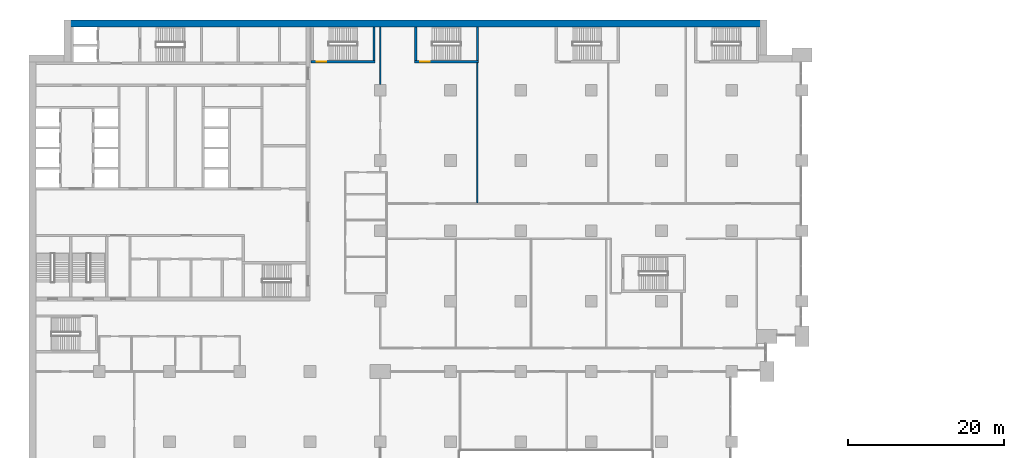
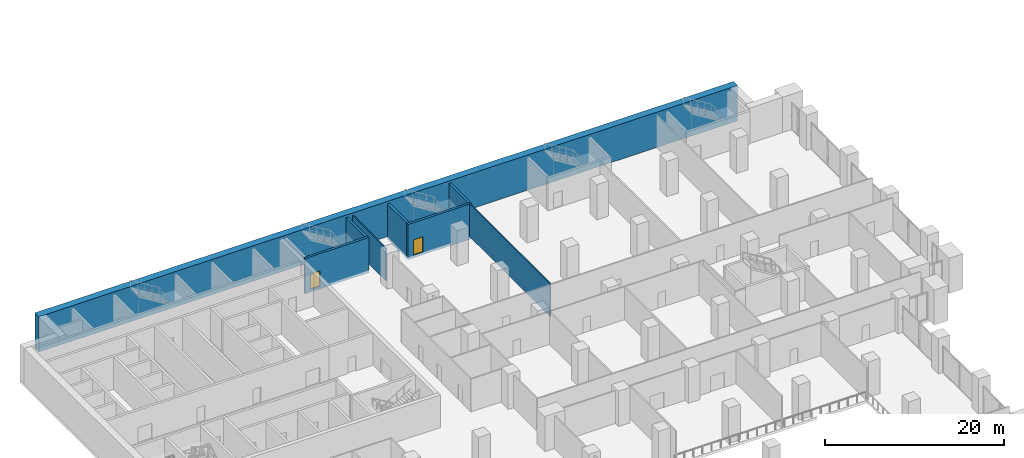
# One storey, part 28 of 49: 8 walls, 2 doors, 2 openings.
"""IFC4 building model written with IfcOpenShell, lengths in metres."""

from ifc_helpers import new_model, si_unit, direction, frame, frame_2d, origin, place, context, subcontext, project, spatial, rectangle, extrude, material, layer, layer_set, type_object, element, fill, save


model = new_model("IFC4")

# Units and contexts
model_context = context("Model", 3, precision=1e-05, world=origin(), true_north=direction((0.0, 1.0)))
body_context = subcontext(model_context, "Body", "Model", "MODEL_VIEW")
ifc_project = project(units=[si_unit("LENGTHUNIT", "METRE"), si_unit("AREAUNIT", "SQUARE_METRE"), si_unit("VOLUMEUNIT", "CUBIC_METRE"), si_unit("PLANEANGLEUNIT", "RADIAN"), si_unit("MASSUNIT", "GRAM", prefix="KILO")], contexts=[model_context])

# Site, building, storey
site_placement = place(None, origin())
site = spatial("IfcSite", under=ifc_project, at=site_placement, CompositionType="ELEMENT")
building_placement = place(site_placement, origin())
building = spatial("IfcBuilding", under=site, at=building_placement, Name="Hunhe Ridgeline Campus", CompositionType="ELEMENT")
storey_placement = place(building_placement, frame((0.0, 0.0, 21.60009765625)))
storey = spatial("IfcBuildingStorey", under=building, at=storey_placement, Name="L04", CompositionType="ELEMENT", Elevation=21.60009765625)

# Walls
ifc_material_1 = material(Name="Plastered blockwork", Category="masonry")
ifc_layer_1 = layer(ifc_material_1, 0.14990234375)
ifc_layer_set_1 = layer_set([ifc_layer_1], Name="Blockwork partition 150")
wall_type_1 = type_object("IfcWallType", Name="Blockwork partition 150", PredefinedType="PARTITIONING", material=ifc_layer_set_1)
wall_1_placement = place(storey_placement, frame((45.0, 90.75, 0.0), z_axis=(0.0, 0.0, 1.0), x_axis=(0.0, 1.0, 0.0)))
element("IfcWall", 1, at=wall_1_placement, inside=storey, type_object=wall_type_1, Name="L04 partition", PredefinedType="PARTITIONING", context=body_context, shape_type="SweptSolid", body=[
    extrude(rectangle(XDim=7.35009765625, YDim=0.14990234375, at=frame_2d((3.675048828125, 0.0))), origin(), (0.0, 0.0, 1.0), 4.449951171875),
])
wall_2_placement = place(storey_placement, frame((57.4140625, 75.574951171875, 0.0), z_axis=(0.0, 0.0, 1.0), x_axis=(0.0, 1.0, 0.0)))
element("IfcWall", 2, at=wall_2_placement, inside=storey, type_object=wall_type_1, Name="L04 partition", PredefinedType="PARTITIONING", context=body_context, shape_type="SweptSolid", body=[
    extrude(rectangle(XDim=17.925048828125, YDim=0.14990234375, at=frame_2d((8.96240234375, 0.0))), origin(), (0.0, 0.0, 1.0), 4.449951171875),
])
ifc_material_2 = material(Name="Concrete C80", Category="concrete")
ifc_layer_2 = layer(ifc_material_2, 0.89990234375)
ifc_layer_set_2 = layer_set([ifc_layer_2], Name="Spine wall 900 Concrete C80")
wall_type_2 = type_object("IfcWallType", Name="Spine wall 900 Concrete C80", PredefinedType="SHEAR", material=ifc_layer_set_2)
wall_3_placement = place(storey_placement, frame((94.5, 98.550048828125, 0.0), z_axis=(0.0, 0.0, 1.0), x_axis=(-1.0, 0.0, 0.0)))
element("IfcWall", 3, at=wall_3_placement, inside=storey, type_object=wall_type_2, Name="Spine wall SW1-4 L04", PredefinedType="SHEAR", context=body_context, shape_type="SweptSolid", body=[
    extrude(rectangle(XDim=90.0, YDim=0.89990234375, at=frame_2d((45.0, 0.0))), origin(), (0.0, 0.0, 1.0), 4.7998046875),
])

# Wall, opening, door
ifc_layer_3 = layer(ifc_material_2, 0.300048828125)
ifc_layer_set_3 = layer_set([ifc_layer_3], Name="Stair wall 300 reinforced concrete C80")
wall_type_3 = type_object("IfcWallType", Name="Stair wall 300 reinforced concrete C80", PredefinedType="SOLIDWALL", material=ifc_layer_set_3)
wall_4_placement = place(storey_placement, frame((36.14990234375, 93.64990234375, -0.35009765625), z_axis=(0.0, 0.0, 1.0), x_axis=(1.0, 0.0, 0.0)))
wall_4 = element("IfcWall", 4, at=wall_4_placement, inside=storey, type_object=wall_type_3, Name="L04 core wall 30", PredefinedType="SOLIDWALL", context=body_context, shape_type="SweptSolid", body=[
    extrude(rectangle(XDim=8.2001953125, YDim=0.300048828125, at=frame_2d((4.10009765625, 0.0))), origin(), (0.0, 0.0, 1.0), 4.800048828125),
])
opening_1_placement = place(wall_4_placement, frame((0.699951171875, 0.0, 0.35009765625)))
opening_1 = element("IfcOpeningElement", 5, at=opening_1_placement, cuts=wall_4, Name="Opening CD17", PredefinedType="OPENING", context=body_context, shape_type="SweptSolid", body=[
    extrude(rectangle(XDim=1.199951171875, YDim=2.10009765625, at=frame_2d((0.60009765625, 1.050048828125))), frame((0.0, 0.14990234375, 0.0), z_axis=(0.0, -1.0, 0.0), x_axis=(1.0, 0.0, 0.0)), (0.0, 0.0, 1.0), 0.300048828125),
])
ifc_material_3 = material(Name="Hollow metal fire door leaf")
door_type = type_object("IfcDoorType", Name="Stair door 1200x2100 FD60", OperationType="SINGLE_SWING_LEFT", PredefinedType="DOOR", material=ifc_material_3)
door_1_placement = place(opening_1_placement, frame((1.199951171875, 0.0, 0.0), z_axis=(0.0, 0.0, 1.0), x_axis=(-1.0, 0.0, 0.0)))
door_1 = element("IfcDoor", 6, at=door_1_placement, inside=storey, type_object=door_type, Name="L04 door E1", OperationType="SINGLE_SWING_RIGHT", OverallHeight=2.10009765625, OverallWidth=1.199951171875, PredefinedType="DOOR", context=body_context, shape_type="SweptSolid", body=[
    extrude(rectangle(XDim=1.199951171875, YDim=2.10009765625, at=frame_2d((0.60009765625, 1.050048828125))), frame((0.0, 0.02490234375, 0.0), z_axis=(0.0, -1.0, 0.0), x_axis=(1.0, 0.0, 0.0)), (0.0, 0.0, 1.0), 0.050048828125),
])
fill(opening_1, door_1)

wall_5_placement = place(storey_placement, frame((49.39990234375, 93.64990234375, -0.35009765625), z_axis=(0.0, 0.0, 1.0), x_axis=(1.0, 0.0, 0.0)))
wall_5 = element("IfcWall", 7, at=wall_5_placement, inside=storey, type_object=wall_type_3, Name="L04 core wall 31", PredefinedType="SOLIDWALL", context=body_context, shape_type="SweptSolid", body=[
    extrude(rectangle(XDim=8.2001953125, YDim=0.300048828125, at=frame_2d((4.10009765625, 0.0))), origin(), (0.0, 0.0, 1.0), 4.800048828125),
])
opening_2_placement = place(wall_5_placement, frame((0.699951171875, 0.0, 0.35009765625)))
opening_2 = element("IfcOpeningElement", 8, at=opening_2_placement, cuts=wall_5, Name="Opening CD18", PredefinedType="OPENING", context=body_context, shape_type="SweptSolid", body=[
    extrude(rectangle(XDim=1.199951171875, YDim=2.10009765625, at=frame_2d((0.60009765625, 1.050048828125))), frame((0.0, 0.14990234375, 0.0), z_axis=(0.0, -1.0, 0.0), x_axis=(1.0, 0.0, 0.0)), (0.0, 0.0, 1.0), 0.300048828125),
])
door_2_placement = place(opening_2_placement, frame((1.199951171875, 0.0, 0.0), z_axis=(0.0, 0.0, 1.0), x_axis=(-1.0, 0.0, 0.0)))
door_2 = element("IfcDoor", 9, at=door_2_placement, inside=storey, type_object=door_type, Name="L04 door E2", OperationType="SINGLE_SWING_LEFT", OverallHeight=2.10009765625, OverallWidth=1.199951171875, PredefinedType="DOOR", context=body_context, shape_type="SweptSolid", body=[
    extrude(rectangle(XDim=1.199951171875, YDim=2.10009765625, at=frame_2d((0.60009765625, 1.050048828125))), frame((0.0, 0.02490234375, 0.0), z_axis=(0.0, -1.0, 0.0), x_axis=(1.0, 0.0, 0.0)), (0.0, 0.0, 1.0), 0.050048828125),
])
fill(opening_2, door_2)

# Walls
for number, where, z_axis, x_axis, name in (
    (10, (44.199951171875, 93.800048828125, -0.35009765625), (0.0, 0.0, 1.0), (0.0, 1.0, 0.0), "L04 core wall 66"),
    (11, (49.550048828125, 93.800048828125, -0.35009765625), (0.0, 0.0, 1.0), (0.0, 1.0, 0.0), "L04 core wall 67"),
    (12, (57.449951171875, 93.800048828125, -0.35009765625), (0.0, 0.0, 1.0), (0.0, 1.0, 0.0), "L04 core wall 68"),
):
    element("IfcWall", number, at=place(storey_placement, frame(where, z_axis=z_axis, x_axis=x_axis)), inside=storey, type_object=wall_type_3, Name=name, PredefinedType="SOLIDWALL", context=body_context, shape_type="SweptSolid", body=[
        extrude(rectangle(XDim=4.300048828125, YDim=0.300048828125, at=frame_2d((2.14990234375, 0.0))), origin(), (0.0, 0.0, 1.0), 4.800048828125),
    ])

save(model, "model.ifc")
